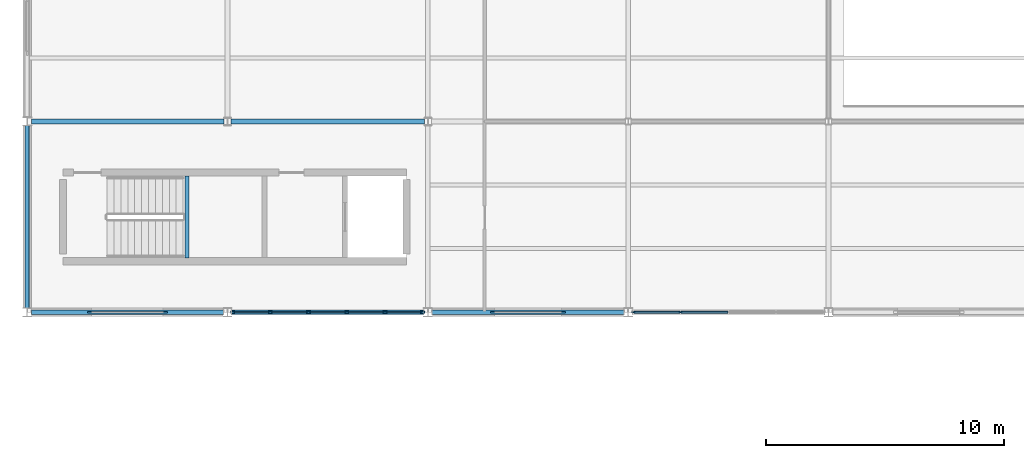
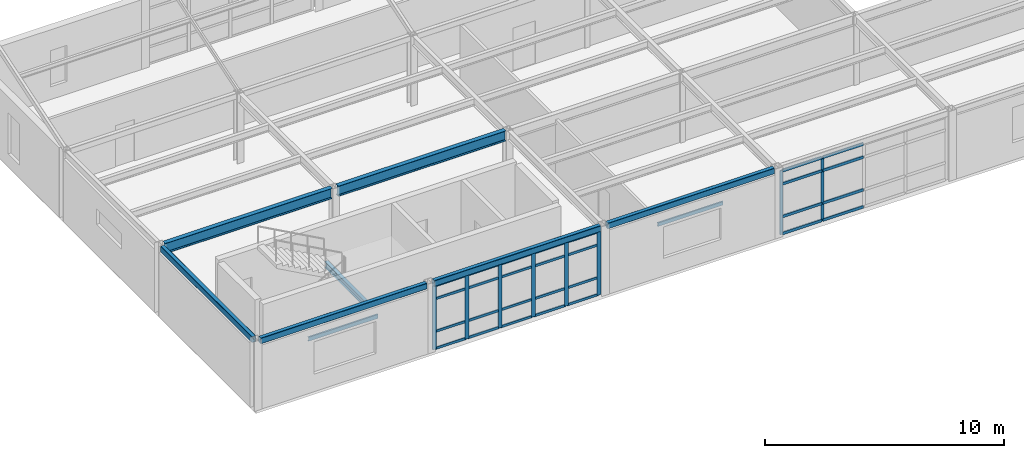
# One storey, part 10 of 96: 36 members, 9 beams, 2 elements without a shape of their own.
"""IFC4 building model written with IfcOpenShell, lengths in metres."""

from ifc_helpers import new_model, si_unit, direction, frame, origin, origin_2d, place, context, subcontext, project, spatial, rectangle, hollow_rectangle, i_section, u_section, extrude, material, layer, layer_set, material_profile, profile_set, type_object, element, aggregate, save


model = new_model("IFC4")

# Units and contexts
model_context = context("Model", 3, precision=1e-05, world=origin(), true_north=direction((0.0, 1.0)))
body_context = subcontext(model_context, "Body", "Model", "MODEL_VIEW")
ifc_project = project(units=[si_unit("LENGTHUNIT", "METRE"), si_unit("AREAUNIT", "SQUARE_METRE"), si_unit("VOLUMEUNIT", "CUBIC_METRE"), si_unit("PLANEANGLEUNIT", "RADIAN"), si_unit("MASSUNIT", "GRAM", prefix="KILO")], contexts=[model_context])

# Site, building, storey
site_placement = place(None, origin())
site = spatial("IfcSite", under=ifc_project, at=site_placement, CompositionType="ELEMENT")
building_placement = place(site_placement, origin())
building = spatial("IfcBuilding", under=site, at=building_placement, Name="Kranzveld Transit Interchange", CompositionType="ELEMENT")
storey_placement = place(building_placement, frame((0.0, 0.0, 9.52001953125)))
storey = spatial("IfcBuildingStorey", under=building, at=storey_placement, Name="L02", CompositionType="ELEMENT", Elevation=9.52001953125)

# Curtain wall, members
ifc_material_1 = material(Name="Bronze-anodised thermally broken aluminium", Category="aluminium")
ifc_layer_1 = layer(ifc_material_1, 0.159912109375)
ifc_layer_set_1 = layer_set([ifc_layer_1], Name="Bronze-anodised thermally broken aluminium")
curtain_wall_type_1 = type_object("IfcCurtainWallType", Name="Bus Boarding Glazed Screen CW-3", PredefinedType="USERDEFINED", material=ifc_layer_set_1)
curtain_wall_1_placement = place(storey_placement, origin())
curtain_wall_1 = element("IfcCurtainWall", 1, at=curtain_wall_1_placement, inside=storey, type_object=curtain_wall_type_1, Name="L02 Curtain Wall 04/C-05/C", ObjectType="CURTAIN WALL", PredefinedType="USERDEFINED")
ifc_material_2 = material(Name="Bronze-anodised thermally broken aluminium", Category="aluminium")
ifc_material_profile_1 = material_profile(ifc_material_2, rectangle(XDim=0.06005859375, YDim=0.14990234375, at=origin_2d()), Name="ALU MULLION 60x150")
ifc_profile_set_1 = profile_set([ifc_material_profile_1], Name="Bronze-anodised thermally broken aluminium")
member_type_1 = type_object("IfcMemberType", Name="Curtain Wall Mullion 60x150 Alu", PredefinedType="MULLION", material=ifc_profile_set_1)
member_1_placement = place(storey_placement, frame((25.417236328125, 16.0, 0.0), z_axis=(0.0, 0.0, 1.0), x_axis=(0.0, 1.0, 0.0)))
member_1 = element("IfcMember", 2, at=member_1_placement, type_object=member_type_1, Name="CW-3 mullion 1", PredefinedType="MULLION", context=body_context, shape_type="SweptSolid", body=[
    extrude(rectangle(XDim=0.06005859375, YDim=0.14990234375, at=origin_2d()), origin(), (0.0, 0.0, 1.0), 3.27001953125),
])
member_2_placement = place(storey_placement, frame((27.3935546875, 16.0, 0.0), z_axis=(0.0, 0.0, 1.0), x_axis=(0.0, 1.0, 0.0)))
member_2 = element("IfcMember", 3, at=member_2_placement, type_object=member_type_1, Name="CW-3 mullion 2", PredefinedType="MULLION", context=body_context, shape_type="SweptSolid", body=[
    extrude(rectangle(XDim=0.06005859375, YDim=0.14990234375, at=origin_2d()), origin(), (0.0, 0.0, 1.0), 3.27001953125),
])

ifc_material_3 = material(Name="Bronze-anodised thermally broken aluminium", Category="aluminium")
ifc_layer_2 = layer(ifc_material_3, 0.1650390625)
ifc_layer_set_2 = layer_set([ifc_layer_2], Name="Bronze-anodised thermally broken aluminium")
curtain_wall_type_2 = type_object("IfcCurtainWallType", Name="Sunny Court Arcade Curtain Wall CW-2", PredefinedType="USERDEFINED", material=ifc_layer_set_2)
curtain_wall_2_placement = place(storey_placement, origin())
curtain_wall_2 = element("IfcCurtainWall", 4, at=curtain_wall_2_placement, inside=storey, type_object=curtain_wall_type_2, Name="L02 Curtain Wall 02/C-03/C", ObjectType="CURTAIN WALL", PredefinedType="USERDEFINED")
ifc_material_4 = material(Name="Bronze-anodised thermally broken aluminium", Category="aluminium")
ifc_material_profile_2 = material_profile(ifc_material_4, rectangle(XDim=0.06494140625, YDim=0.179931640625, at=origin_2d()), Name="ALU MULLION 65x180")
ifc_profile_set_2 = profile_set([ifc_material_profile_2], Name="Bronze-anodised thermally broken aluminium")
member_type_2 = type_object("IfcMemberType", Name="Curtain Wall Mullion 65x180 Alu", PredefinedType="MULLION", material=ifc_profile_set_2)
member_3_placement = place(storey_placement, frame((8.619873046875, 16.0, 0.0), z_axis=(0.0, 0.0, 1.0), x_axis=(0.0, 1.0, 0.0)))
member_3 = element("IfcMember", 5, at=member_3_placement, type_object=member_type_2, Name="CW-2 mullion 1", PredefinedType="MULLION", context=body_context, shape_type="SweptSolid", body=[
    extrude(rectangle(XDim=0.06494140625, YDim=0.179931640625, at=origin_2d()), origin(), (0.0, 0.0, 1.0), 3.27001953125),
])
member_4_placement = place(storey_placement, frame((10.1923828125, 16.0, 0.0), z_axis=(0.0, 0.0, 1.0), x_axis=(0.0, 1.0, 0.0)))
member_4 = element("IfcMember", 6, at=member_4_placement, type_object=member_type_2, Name="CW-2 mullion 2", PredefinedType="MULLION", context=body_context, shape_type="SweptSolid", body=[
    extrude(rectangle(XDim=0.06494140625, YDim=0.179931640625, at=origin_2d()), origin(), (0.0, 0.0, 1.0), 3.27001953125),
])
member_5_placement = place(storey_placement, frame((11.79736328125, 16.0, 0.0), z_axis=(0.0, 0.0, 1.0), x_axis=(0.0, 1.0, 0.0)))
member_5 = element("IfcMember", 7, at=member_5_placement, type_object=member_type_2, Name="CW-2 mullion 3", PredefinedType="MULLION", context=body_context, shape_type="SweptSolid", body=[
    extrude(rectangle(XDim=0.06494140625, YDim=0.179931640625, at=origin_2d()), origin(), (0.0, 0.0, 1.0), 3.27001953125),
])
member_6_placement = place(storey_placement, frame((13.402587890625, 16.0, 0.0), z_axis=(0.0, 0.0, 1.0), x_axis=(0.0, 1.0, 0.0)))
member_6 = element("IfcMember", 8, at=member_6_placement, type_object=member_type_2, Name="CW-2 mullion 4", PredefinedType="MULLION", context=body_context, shape_type="SweptSolid", body=[
    extrude(rectangle(XDim=0.06494140625, YDim=0.179931640625, at=origin_2d()), origin(), (0.0, 0.0, 1.0), 3.27001953125),
])
member_7_placement = place(storey_placement, frame((15.007568359375, 16.0, 0.0), z_axis=(0.0, 0.0, 1.0), x_axis=(0.0, 1.0, 0.0)))
member_7 = element("IfcMember", 9, at=member_7_placement, type_object=member_type_2, Name="CW-2 mullion 5", PredefinedType="MULLION", context=body_context, shape_type="SweptSolid", body=[
    extrude(rectangle(XDim=0.06494140625, YDim=0.179931640625, at=origin_2d()), origin(), (0.0, 0.0, 1.0), 3.27001953125),
])
member_8_placement = place(storey_placement, frame((16.580078125, 16.0, 0.0), z_axis=(0.0, 0.0, 1.0), x_axis=(0.0, 1.0, 0.0)))
member_8 = element("IfcMember", 10, at=member_8_placement, type_object=member_type_2, Name="CW-2 mullion 6", PredefinedType="MULLION", context=body_context, shape_type="SweptSolid", body=[
    extrude(rectangle(XDim=0.06494140625, YDim=0.179931640625, at=origin_2d()), origin(), (0.0, 0.0, 1.0), 3.27001953125),
])
ifc_material_5 = material(Name="Bronze-anodised thermally broken aluminium", Category="aluminium")
ifc_material_profile_3 = material_profile(ifc_material_5, rectangle(XDim=0.06005859375, YDim=0.125, at=origin_2d()), Name="ALU TRANSOM 60x125")
ifc_profile_set_3 = profile_set([ifc_material_profile_3], Name="Bronze-anodised thermally broken aluminium")
member_type_3 = type_object("IfcMemberType", Name="Curtain Wall Transom 60x125 Alu", PredefinedType="USERDEFINED", material=ifc_profile_set_3)
member_9_placement = place(storey_placement, frame((8.65234375, 16.0, 0.030029296875), z_axis=(1.0, 0.0, 0.0), x_axis=(0.0, 1.0, 0.0)))
member_9 = element("IfcMember", 11, at=member_9_placement, type_object=member_type_3, Name="CW-2 transom 1.1", ObjectType="TRANSOM", PredefinedType="USERDEFINED", context=body_context, shape_type="SweptSolid", body=[
    extrude(rectangle(XDim=0.06005859375, YDim=0.125, at=origin_2d()), origin(), (0.0, 0.0, 1.0), 1.507568359375),
])
member_10_placement = place(storey_placement, frame((8.65234375, 16.0, 0.89990234375), z_axis=(1.0, 0.0, 0.0), x_axis=(0.0, 1.0, 0.0)))
member_10 = element("IfcMember", 12, at=member_10_placement, type_object=member_type_3, Name="CW-2 transom 1.2", ObjectType="TRANSOM", PredefinedType="USERDEFINED", context=body_context, shape_type="SweptSolid", body=[
    extrude(rectangle(XDim=0.06005859375, YDim=0.125, at=origin_2d()), origin(), (0.0, 0.0, 1.0), 1.507568359375),
])
member_11_placement = place(storey_placement, frame((8.65234375, 16.0, 2.570068359375), z_axis=(1.0, 0.0, 0.0), x_axis=(0.0, 1.0, 0.0)))
member_11 = element("IfcMember", 13, at=member_11_placement, type_object=member_type_3, Name="CW-2 transom 1.3", ObjectType="TRANSOM", PredefinedType="USERDEFINED", context=body_context, shape_type="SweptSolid", body=[
    extrude(rectangle(XDim=0.06005859375, YDim=0.125, at=origin_2d()), origin(), (0.0, 0.0, 1.0), 1.507568359375),
])
member_12_placement = place(storey_placement, frame((8.65234375, 16.0, 3.239990234375), z_axis=(1.0, 0.0, 0.0), x_axis=(0.0, 1.0, 0.0)))
member_12 = element("IfcMember", 14, at=member_12_placement, type_object=member_type_3, Name="CW-2 transom 1.4", ObjectType="TRANSOM", PredefinedType="USERDEFINED", context=body_context, shape_type="SweptSolid", body=[
    extrude(rectangle(XDim=0.06005859375, YDim=0.125, at=origin_2d()), origin(), (0.0, 0.0, 1.0), 1.507568359375),
])
member_13_placement = place(storey_placement, frame((10.224853515625, 16.0, 0.030029296875), z_axis=(1.0, 0.0, 0.0), x_axis=(0.0, 1.0, 0.0)))
member_13 = element("IfcMember", 15, at=member_13_placement, type_object=member_type_3, Name="CW-2 transom 2.1", ObjectType="TRANSOM", PredefinedType="USERDEFINED", context=body_context, shape_type="SweptSolid", body=[
    extrude(rectangle(XDim=0.06005859375, YDim=0.125, at=origin_2d()), origin(), (0.0, 0.0, 1.0), 1.5400390625),
])
member_14_placement = place(storey_placement, frame((10.224853515625, 16.0, 0.89990234375), z_axis=(1.0, 0.0, 0.0), x_axis=(0.0, 1.0, 0.0)))
member_14 = element("IfcMember", 16, at=member_14_placement, type_object=member_type_3, Name="CW-2 transom 2.2", ObjectType="TRANSOM", PredefinedType="USERDEFINED", context=body_context, shape_type="SweptSolid", body=[
    extrude(rectangle(XDim=0.06005859375, YDim=0.125, at=origin_2d()), origin(), (0.0, 0.0, 1.0), 1.5400390625),
])
member_15_placement = place(storey_placement, frame((10.224853515625, 16.0, 2.570068359375), z_axis=(1.0, 0.0, 0.0), x_axis=(0.0, 1.0, 0.0)))
member_15 = element("IfcMember", 17, at=member_15_placement, type_object=member_type_3, Name="CW-2 transom 2.3", ObjectType="TRANSOM", PredefinedType="USERDEFINED", context=body_context, shape_type="SweptSolid", body=[
    extrude(rectangle(XDim=0.06005859375, YDim=0.125, at=origin_2d()), origin(), (0.0, 0.0, 1.0), 1.5400390625),
])
member_16_placement = place(storey_placement, frame((10.224853515625, 16.0, 3.239990234375), z_axis=(1.0, 0.0, 0.0), x_axis=(0.0, 1.0, 0.0)))
member_16 = element("IfcMember", 18, at=member_16_placement, type_object=member_type_3, Name="CW-2 transom 2.4", ObjectType="TRANSOM", PredefinedType="USERDEFINED", context=body_context, shape_type="SweptSolid", body=[
    extrude(rectangle(XDim=0.06005859375, YDim=0.125, at=origin_2d()), origin(), (0.0, 0.0, 1.0), 1.5400390625),
])
member_17_placement = place(storey_placement, frame((11.830078125, 16.0, 0.030029296875), z_axis=(1.0, 0.0, 0.0), x_axis=(0.0, 1.0, 0.0)))
member_17 = element("IfcMember", 19, at=member_17_placement, type_object=member_type_3, Name="CW-2 transom 3.1", ObjectType="TRANSOM", PredefinedType="USERDEFINED", context=body_context, shape_type="SweptSolid", body=[
    extrude(rectangle(XDim=0.06005859375, YDim=0.125, at=origin_2d()), origin(), (0.0, 0.0, 1.0), 1.5400390625),
])
member_18_placement = place(storey_placement, frame((11.830078125, 16.0, 0.89990234375), z_axis=(1.0, 0.0, 0.0), x_axis=(0.0, 1.0, 0.0)))
member_18 = element("IfcMember", 20, at=member_18_placement, type_object=member_type_3, Name="CW-2 transom 3.2", ObjectType="TRANSOM", PredefinedType="USERDEFINED", context=body_context, shape_type="SweptSolid", body=[
    extrude(rectangle(XDim=0.06005859375, YDim=0.125, at=origin_2d()), origin(), (0.0, 0.0, 1.0), 1.5400390625),
])
member_19_placement = place(storey_placement, frame((11.830078125, 16.0, 2.570068359375), z_axis=(1.0, 0.0, 0.0), x_axis=(0.0, 1.0, 0.0)))
member_19 = element("IfcMember", 21, at=member_19_placement, type_object=member_type_3, Name="CW-2 transom 3.3", ObjectType="TRANSOM", PredefinedType="USERDEFINED", context=body_context, shape_type="SweptSolid", body=[
    extrude(rectangle(XDim=0.06005859375, YDim=0.125, at=origin_2d()), origin(), (0.0, 0.0, 1.0), 1.5400390625),
])
member_20_placement = place(storey_placement, frame((11.830078125, 16.0, 3.239990234375), z_axis=(1.0, 0.0, 0.0), x_axis=(0.0, 1.0, 0.0)))
member_20 = element("IfcMember", 22, at=member_20_placement, type_object=member_type_3, Name="CW-2 transom 3.4", ObjectType="TRANSOM", PredefinedType="USERDEFINED", context=body_context, shape_type="SweptSolid", body=[
    extrude(rectangle(XDim=0.06005859375, YDim=0.125, at=origin_2d()), origin(), (0.0, 0.0, 1.0), 1.5400390625),
])
member_21_placement = place(storey_placement, frame((13.43505859375, 16.0, 0.030029296875), z_axis=(1.0, 0.0, 0.0), x_axis=(0.0, 1.0, 0.0)))
member_21 = element("IfcMember", 23, at=member_21_placement, type_object=member_type_3, Name="CW-2 transom 4.1", ObjectType="TRANSOM", PredefinedType="USERDEFINED", context=body_context, shape_type="SweptSolid", body=[
    extrude(rectangle(XDim=0.06005859375, YDim=0.125, at=origin_2d()), origin(), (0.0, 0.0, 1.0), 1.5400390625),
])
member_22_placement = place(storey_placement, frame((13.43505859375, 16.0, 0.89990234375), z_axis=(1.0, 0.0, 0.0), x_axis=(0.0, 1.0, 0.0)))
member_22 = element("IfcMember", 24, at=member_22_placement, type_object=member_type_3, Name="CW-2 transom 4.2", ObjectType="TRANSOM", PredefinedType="USERDEFINED", context=body_context, shape_type="SweptSolid", body=[
    extrude(rectangle(XDim=0.06005859375, YDim=0.125, at=origin_2d()), origin(), (0.0, 0.0, 1.0), 1.5400390625),
])
member_23_placement = place(storey_placement, frame((13.43505859375, 16.0, 2.570068359375), z_axis=(1.0, 0.0, 0.0), x_axis=(0.0, 1.0, 0.0)))
member_23 = element("IfcMember", 25, at=member_23_placement, type_object=member_type_3, Name="CW-2 transom 4.3", ObjectType="TRANSOM", PredefinedType="USERDEFINED", context=body_context, shape_type="SweptSolid", body=[
    extrude(rectangle(XDim=0.06005859375, YDim=0.125, at=origin_2d()), origin(), (0.0, 0.0, 1.0), 1.5400390625),
])
member_24_placement = place(storey_placement, frame((13.43505859375, 16.0, 3.239990234375), z_axis=(1.0, 0.0, 0.0), x_axis=(0.0, 1.0, 0.0)))
member_24 = element("IfcMember", 26, at=member_24_placement, type_object=member_type_3, Name="CW-2 transom 4.4", ObjectType="TRANSOM", PredefinedType="USERDEFINED", context=body_context, shape_type="SweptSolid", body=[
    extrude(rectangle(XDim=0.06005859375, YDim=0.125, at=origin_2d()), origin(), (0.0, 0.0, 1.0), 1.5400390625),
])
member_25_placement = place(storey_placement, frame((15.0400390625, 16.0, 0.030029296875), z_axis=(1.0, 0.0, 0.0), x_axis=(0.0, 1.0, 0.0)))
member_25 = element("IfcMember", 27, at=member_25_placement, type_object=member_type_3, Name="CW-2 transom 5.1", ObjectType="TRANSOM", PredefinedType="USERDEFINED", context=body_context, shape_type="SweptSolid", body=[
    extrude(rectangle(XDim=0.06005859375, YDim=0.125, at=origin_2d()), origin(), (0.0, 0.0, 1.0), 1.507568359375),
])
member_26_placement = place(storey_placement, frame((15.0400390625, 16.0, 0.89990234375), z_axis=(1.0, 0.0, 0.0), x_axis=(0.0, 1.0, 0.0)))
member_26 = element("IfcMember", 28, at=member_26_placement, type_object=member_type_3, Name="CW-2 transom 5.2", ObjectType="TRANSOM", PredefinedType="USERDEFINED", context=body_context, shape_type="SweptSolid", body=[
    extrude(rectangle(XDim=0.06005859375, YDim=0.125, at=origin_2d()), origin(), (0.0, 0.0, 1.0), 1.507568359375),
])
member_27_placement = place(storey_placement, frame((15.0400390625, 16.0, 2.570068359375), z_axis=(1.0, 0.0, 0.0), x_axis=(0.0, 1.0, 0.0)))
member_27 = element("IfcMember", 29, at=member_27_placement, type_object=member_type_3, Name="CW-2 transom 5.3", ObjectType="TRANSOM", PredefinedType="USERDEFINED", context=body_context, shape_type="SweptSolid", body=[
    extrude(rectangle(XDim=0.06005859375, YDim=0.125, at=origin_2d()), origin(), (0.0, 0.0, 1.0), 1.507568359375),
])
member_28_placement = place(storey_placement, frame((15.0400390625, 16.0, 3.239990234375), z_axis=(1.0, 0.0, 0.0), x_axis=(0.0, 1.0, 0.0)))
member_28 = element("IfcMember", 30, at=member_28_placement, type_object=member_type_3, Name="CW-2 transom 5.4", ObjectType="TRANSOM", PredefinedType="USERDEFINED", context=body_context, shape_type="SweptSolid", body=[
    extrude(rectangle(XDim=0.06005859375, YDim=0.125, at=origin_2d()), origin(), (0.0, 0.0, 1.0), 1.507568359375),
])
aggregate(curtain_wall_2, [member_3, member_4, member_5, member_6, member_7, member_8, member_9, member_10, member_11, member_12, member_13, member_14, member_15, member_16, member_17, member_18, member_19, member_20, member_21, member_22, member_23, member_24, member_25, member_26, member_27, member_28])

# Member
ifc_material_6 = material(Name="Bronze-anodised thermally broken aluminium", Category="aluminium")
ifc_material_profile_4 = material_profile(ifc_material_6, rectangle(XDim=0.06494140625, YDim=0.139892578125, at=origin_2d()), Name="ALU TRANSOM 65x140")
ifc_profile_set_4 = profile_set([ifc_material_profile_4], Name="Bronze-anodised thermally broken aluminium")
member_type_4 = type_object("IfcMemberType", Name="Curtain Wall Transom 65x140 Alu", PredefinedType="USERDEFINED", material=ifc_profile_set_4)
member_29_placement = place(storey_placement, frame((25.447265625, 16.0, 0.032470703125), z_axis=(1.0, 0.0, 0.0), x_axis=(0.0, 1.0, 0.0)))
member_29 = element("IfcMember", 31, at=member_29_placement, type_object=member_type_4, Name="CW-3 transom 1.1", ObjectType="TRANSOM", PredefinedType="USERDEFINED", context=body_context, shape_type="SweptSolid", body=[
    extrude(rectangle(XDim=0.06494140625, YDim=0.139892578125, at=origin_2d()), origin(), (0.0, 0.0, 1.0), 1.91650390625),
])

member_30_placement = place(storey_placement, frame((25.447265625, 16.0, 0.89990234375), z_axis=(1.0, 0.0, 0.0), x_axis=(0.0, 1.0, 0.0)))
member_30 = element("IfcMember", 32, at=member_30_placement, type_object=member_type_4, Name="CW-3 transom 1.2", ObjectType="TRANSOM", PredefinedType="USERDEFINED", context=body_context, shape_type="SweptSolid", body=[
    extrude(rectangle(XDim=0.06494140625, YDim=0.139892578125, at=origin_2d()), origin(), (0.0, 0.0, 1.0), 1.91650390625),
])

member_31_placement = place(storey_placement, frame((25.447265625, 16.0, 2.570068359375), z_axis=(1.0, 0.0, 0.0), x_axis=(0.0, 1.0, 0.0)))
member_31 = element("IfcMember", 33, at=member_31_placement, type_object=member_type_4, Name="CW-3 transom 1.3", ObjectType="TRANSOM", PredefinedType="USERDEFINED", context=body_context, shape_type="SweptSolid", body=[
    extrude(rectangle(XDim=0.06494140625, YDim=0.139892578125, at=origin_2d()), origin(), (0.0, 0.0, 1.0), 1.91650390625),
])

member_32_placement = place(storey_placement, frame((25.447265625, 16.0, 3.237548828125), z_axis=(1.0, 0.0, 0.0), x_axis=(0.0, 1.0, 0.0)))
member_32 = element("IfcMember", 34, at=member_32_placement, type_object=member_type_4, Name="CW-3 transom 1.4", ObjectType="TRANSOM", PredefinedType="USERDEFINED", context=body_context, shape_type="SweptSolid", body=[
    extrude(rectangle(XDim=0.06494140625, YDim=0.139892578125, at=origin_2d()), origin(), (0.0, 0.0, 1.0), 1.91650390625),
])

member_33_placement = place(storey_placement, frame((27.423583984375, 16.0, 0.032470703125), z_axis=(1.0, 0.0, 0.0), x_axis=(0.0, 1.0, 0.0)))
member_33 = element("IfcMember", 35, at=member_33_placement, type_object=member_type_4, Name="CW-3 transom 2.1", ObjectType="TRANSOM", PredefinedType="USERDEFINED", context=body_context, shape_type="SweptSolid", body=[
    extrude(rectangle(XDim=0.06494140625, YDim=0.139892578125, at=origin_2d()), origin(), (0.0, 0.0, 1.0), 1.946533203125),
])

member_34_placement = place(storey_placement, frame((27.423583984375, 16.0, 0.89990234375), z_axis=(1.0, 0.0, 0.0), x_axis=(0.0, 1.0, 0.0)))
member_34 = element("IfcMember", 36, at=member_34_placement, type_object=member_type_4, Name="CW-3 transom 2.2", ObjectType="TRANSOM", PredefinedType="USERDEFINED", context=body_context, shape_type="SweptSolid", body=[
    extrude(rectangle(XDim=0.06494140625, YDim=0.139892578125, at=origin_2d()), origin(), (0.0, 0.0, 1.0), 1.946533203125),
])

member_35_placement = place(storey_placement, frame((27.423583984375, 16.0, 2.570068359375), z_axis=(1.0, 0.0, 0.0), x_axis=(0.0, 1.0, 0.0)))
member_35 = element("IfcMember", 37, at=member_35_placement, type_object=member_type_4, Name="CW-3 transom 2.3", ObjectType="TRANSOM", PredefinedType="USERDEFINED", context=body_context, shape_type="SweptSolid", body=[
    extrude(rectangle(XDim=0.06494140625, YDim=0.139892578125, at=origin_2d()), origin(), (0.0, 0.0, 1.0), 1.946533203125),
])

member_36_placement = place(storey_placement, frame((27.423583984375, 16.0, 3.237548828125), z_axis=(1.0, 0.0, 0.0), x_axis=(0.0, 1.0, 0.0)))
member_36 = element("IfcMember", 38, at=member_36_placement, type_object=member_type_4, Name="CW-3 transom 2.4", ObjectType="TRANSOM", PredefinedType="USERDEFINED", context=body_context, shape_type="SweptSolid", body=[
    extrude(rectangle(XDim=0.06494140625, YDim=0.139892578125, at=origin_2d()), origin(), (0.0, 0.0, 1.0), 1.946533203125),
])

aggregate(curtain_wall_1, [member_1, member_2, member_29, member_30, member_31, member_32, member_33, member_34, member_35, member_36])

# Beams
ifc_material_7 = material(Name="Steel S355JR", Category="steel")
ifc_material_profile_5 = material_profile(ifc_material_7, hollow_rectangle(XDim=0.199951171875, YDim=0.300048828125, WallThickness=0.010009765625, InnerFilletRadius=0.014892578125, OuterFilletRadius=0.02490234375, at=origin_2d()), Name="RHS 300x200x10")
ifc_profile_set_5 = profile_set([ifc_material_profile_5], Name="Steel S355JR")
beam_type_1 = type_object("IfcBeamType", Name="Edge Spandrel RHS 300x200x10 S355JR", PredefinedType="SPANDREL", material=ifc_profile_set_5)
for number, where, z_axis, x_axis, name in (
    (39, (0.17724609375, 16.0, 3.419921875), (1.0, 0.0, 0.0), (0.0, 1.0, 0.0), "L02 Girder 01-02/C"),
    (40, (8.577392578125, 16.0, 3.419921875), (1.0, 0.0, 0.0), (0.0, 1.0, 0.0), "L02 Girder 02-03/C"),
    (41, (16.977294921875, 16.0, 3.419921875), (1.0, 0.0, 0.0), (0.0, 1.0, 0.0), "L02 Girder 03-04/C"),
):
    element("IfcBeam", number, at=place(storey_placement, frame(where, z_axis=z_axis, x_axis=x_axis)), inside=storey, type_object=beam_type_1, Name=name, PredefinedType="SPANDREL", context=body_context, shape_type="SweptSolid", body=[
        extrude(hollow_rectangle(XDim=0.199951171875, YDim=0.300048828125, WallThickness=0.010009765625, InnerFilletRadius=0.014892578125, OuterFilletRadius=0.02490234375, at=origin_2d()), origin(), (0.0, 0.0, 1.0), 8.04541015625),
    ])
beam_1_placement = place(storey_placement, frame((0.0, 16.17724609375, 3.419921875), z_axis=(0.0, 1.0, 0.0), x_axis=(-1.0, 0.0, 0.0)))
element("IfcBeam", 42, at=beam_1_placement, inside=storey, type_object=beam_type_1, Name="L02 Girder 01/C-D", PredefinedType="SPANDREL", context=body_context, shape_type="SweptSolid", body=[
    extrude(hollow_rectangle(XDim=0.199951171875, YDim=0.300048828125, WallThickness=0.010009765625, InnerFilletRadius=0.014892578125, OuterFilletRadius=0.02490234375, at=origin_2d()), origin(), (0.0, 0.0, 1.0), 7.6455078125),
])
ifc_material_8 = material(Name="Steel S355JR", Category="steel")
ifc_material_profile_6 = material_profile(ifc_material_8, i_section(OverallWidth=0.209228515625, OverallDepth=0.533203125, WebThickness=0.010009765625, FlangeThickness=0.015625, FilletRadius=0.0126953125, at=origin_2d()), Name="UB 533x210x92")
ifc_profile_set_6 = profile_set([ifc_material_profile_6], Name="Steel S355JR")
beam_type_2 = type_object("IfcBeamType", Name="Girder Steel UB 533x210x92 S355JR", PredefinedType="BEAM", material=ifc_profile_set_6)
beam_2_placement = place(storey_placement, frame((0.17724609375, 24.0, 3.303466796875), z_axis=(1.0, 0.0, 0.0), x_axis=(0.0, 1.0, 0.0)))
element("IfcBeam", 43, at=beam_2_placement, inside=storey, type_object=beam_type_2, Name="L02 Girder 01-02/D", PredefinedType="BEAM", context=body_context, shape_type="SweptSolid", body=[
    extrude(i_section(OverallWidth=0.209228515625, OverallDepth=0.533203125, WebThickness=0.010009765625, FlangeThickness=0.015625, FilletRadius=0.0126953125, at=origin_2d()), origin(), (0.0, 0.0, 1.0), 8.075439453125),
])
beam_3_placement = place(storey_placement, frame((8.547119140625, 24.0, 3.303466796875), z_axis=(1.0, 0.0, 0.0), x_axis=(0.0, 1.0, 0.0)))
element("IfcBeam", 44, at=beam_3_placement, inside=storey, type_object=beam_type_2, Name="L02 Girder 02-03/D", PredefinedType="BEAM", context=body_context, shape_type="SweptSolid", body=[
    extrude(i_section(OverallWidth=0.209228515625, OverallDepth=0.533203125, WebThickness=0.010009765625, FlangeThickness=0.015625, FilletRadius=0.0126953125, at=origin_2d()), origin(), (0.0, 0.0, 1.0), 8.105712890625),
])
ifc_material_9 = material(Name="Steel S355JR", Category="steel")
ifc_material_profile_7 = material_profile(ifc_material_9, u_section(Depth=0.179931640625, FlangeWidth=0.070068359375, WebThickness=0.007080078125, FlangeThickness=0.010986328125, FilletRadius=0.010009765625, at=origin_2d()), Name="PFC 180x70x22")
ifc_profile_set_7 = profile_set([ifc_material_profile_7], Name="Steel S355JR")
beam_type_3 = type_object("IfcBeamType", Name="Masonry Lintel PFC 180x70x22 S355JR", PredefinedType="LINTEL", material=ifc_profile_set_7)
beam_4_placement = place(storey_placement, frame((19.419921875, 16.0, 2.594970703125), z_axis=(1.0, 0.0, 0.0), x_axis=(0.0, 1.0, 0.0)))
element("IfcBeam", 45, at=beam_4_placement, inside=storey, type_object=beam_type_3, Name="L02 Window Lintel 125", PredefinedType="LINTEL", context=body_context, shape_type="SweptSolid", body=[
    extrude(u_section(Depth=0.179931640625, FlangeWidth=0.070068359375, WebThickness=0.007080078125, FlangeThickness=0.010986328125, FilletRadius=0.010009765625, at=origin_2d()), origin(), (0.0, 0.0, 1.0), 3.16015625),
])
ifc_material_10 = material(Name="Steel S355JR", Category="steel")
ifc_material_profile_8 = material_profile(ifc_material_10, u_section(Depth=0.199951171875, FlangeWidth=0.074951171875, WebThickness=0.006103515625, FlangeThickness=0.012451171875, FilletRadius=0.011962890625, at=origin_2d()), Name="PFC 200x75x23")
ifc_profile_set_8 = profile_set([ifc_material_profile_8], Name="Steel S355JR")
beam_type_4 = type_object("IfcBeamType", Name="Masonry Lintel PFC 200x75x23 S355JR", PredefinedType="LINTEL", material=ifc_profile_set_8)
beam_5_placement = place(storey_placement, frame((2.52001953125, 16.0, 2.655029296875), z_axis=(1.0, 0.0, 0.0), x_axis=(0.0, 1.0, 0.0)))
element("IfcBeam", 46, at=beam_5_placement, inside=storey, type_object=beam_type_4, Name="L02 Window Lintel 124", PredefinedType="LINTEL", context=body_context, shape_type="SweptSolid", body=[
    extrude(u_section(Depth=0.199951171875, FlangeWidth=0.074951171875, WebThickness=0.006103515625, FlangeThickness=0.012451171875, FilletRadius=0.011962890625, at=origin_2d()), origin(), (0.0, 0.0, 1.0), 3.35986328125),
])
ifc_material_11 = material(Name="Steel S355JR", Category="steel")
ifc_material_profile_9 = material_profile(ifc_material_11, i_section(OverallWidth=0.165771484375, OverallDepth=0.306640625, WebThickness=0.006591796875, FlangeThickness=0.01171875, FilletRadius=0.0087890625, at=origin_2d()), Name="UB 305x165x46")
ifc_profile_set_9 = profile_set([ifc_material_profile_9], Name="Steel S355JR")
beam_type_5 = type_object("IfcBeamType", Name="Roof Joist UB 305x165x46 S355JR", PredefinedType="JOIST", material=ifc_profile_set_9)
beam_6_placement = place(storey_placement, frame((6.699951171875, 18.280029296875, 1.566650390625), z_axis=(0.0, 1.0, 0.0), x_axis=(-1.0, 0.0, 0.0)))
element("IfcBeam", 47, at=beam_6_placement, inside=storey, type_object=beam_type_5, Name="L02 ST-CY1 Half-Landing Support Beam", PredefinedType="BEAM", context=body_context, shape_type="SweptSolid", body=[
    extrude(i_section(OverallWidth=0.165771484375, OverallDepth=0.306640625, WebThickness=0.006591796875, FlangeThickness=0.01171875, FilletRadius=0.0087890625, at=origin_2d()), origin(), (0.0, 0.0, 1.0), 3.43994140625),
])

save(model, "model.ifc")
